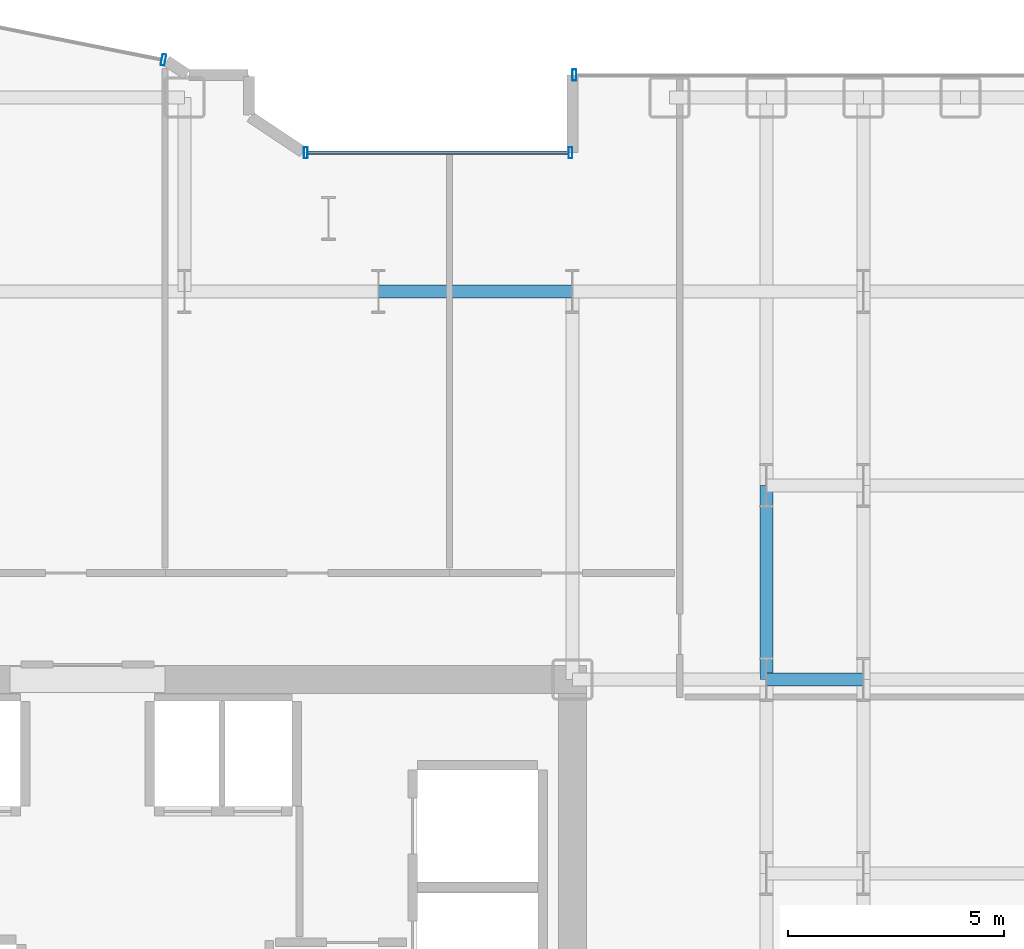
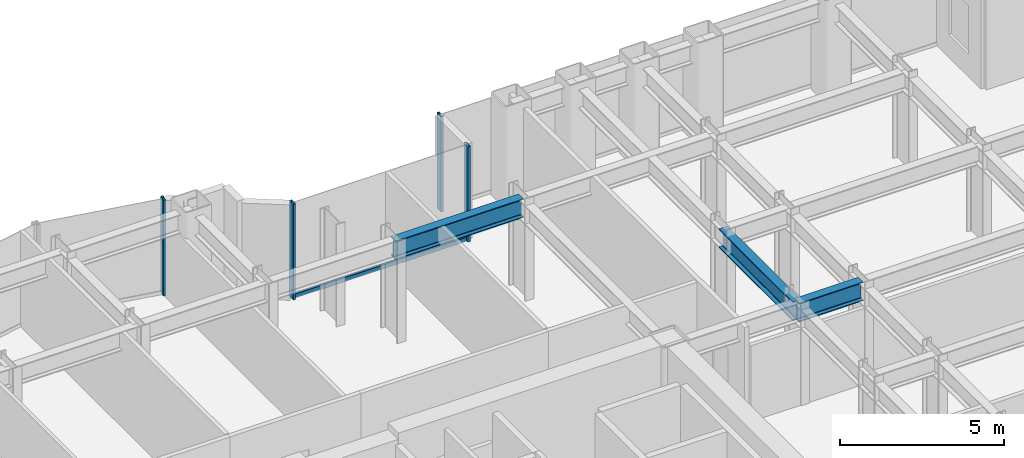
# One storey, part 12 of 25: 5 members, 3 beams, 3 elements without a shape of their own.
"""IFC4 building model written with IfcOpenShell, lengths in metres."""

from ifc_helpers import new_model, si_unit, direction, frame, origin, origin_2d, place, context, subcontext, project, spatial, hollow_rectangle, i_section, extrude, source, transform, mapped, material, layer, layer_set, material_profile, profile_set, type_object, element, aggregate, save


model = new_model("IFC4")

# Units and contexts
model_context = context("Model", 3, precision=1e-05, world=origin(), true_north=direction((0.0, 1.0)))
body_context = subcontext(model_context, "Body", "Model", "MODEL_VIEW")
ifc_project = project(units=[si_unit("LENGTHUNIT", "METRE"), si_unit("AREAUNIT", "SQUARE_METRE"), si_unit("VOLUMEUNIT", "CUBIC_METRE"), si_unit("PLANEANGLEUNIT", "RADIAN"), si_unit("MASSUNIT", "GRAM", prefix="KILO")], contexts=[model_context])

# Site, building, storey
site_placement = place(None, origin())
site = spatial("IfcSite", under=ifc_project, at=site_placement, CompositionType="ELEMENT")
building_placement = place(site_placement, origin())
building = spatial("IfcBuilding", under=site, at=building_placement, Name="Nefas-Gora Pilgrimage Tower", CompositionType="ELEMENT")
storey_placement = place(building_placement, frame((0.0, 0.0, 71.0)))
storey = spatial("IfcBuildingStorey", under=building, at=storey_placement, Name="L16", CompositionType="ELEMENT", Elevation=71.0)

# Beams
ifc_material_1 = material(Name="Steel S355", Category="steel")
ifc_material_profile_1 = material_profile(ifc_material_1, i_section(OverallWidth=0.300048828125, OverallDepth=0.699951171875, WebThickness=0.01708984375, FlangeThickness=0.031982421875, FilletRadius=0.027099609375, at=origin_2d()), Name="HEB 700")
ifc_profile_set_1 = profile_set([ifc_material_profile_1], Name="Steel S355")
beam_type = type_object("IfcBeamType", Name="BM-GIR-HEB700", PredefinedType="BEAM", material=ifc_profile_set_1)
shared_shape_1 = source(origin(), body_context, "Body", "SweptSolid", [
    extrude(i_section(OverallWidth=0.300048828125, OverallDepth=0.699951171875, WebThickness=0.01708984375, FlangeThickness=0.031982421875, FilletRadius=0.027099609375, at=origin_2d()), origin(), (0.0, 0.0, 1.0), 4.5),
])
for number, where, z_axis, x_axis, name in (
    (1, (6.75, 18.0, 3.199951171875), (1.0, 0.0, 0.0), (0.0, 1.0, 0.0), "L16 G-02 beam"),
    (2, (15.75, 9.0, 3.199951171875), (0.0, 1.0, 0.0), (-1.0, 0.0, 0.0), "L16 G-02 beam"),
):
    element("IfcBeam", number, at=place(storey_placement, frame(where, z_axis=z_axis, x_axis=x_axis)), inside=storey, type_object=beam_type, Name=name, PredefinedType="BEAM", context=body_context, shape_type="MappedRepresentation", body=[
        mapped(shared_shape_1, transform((0.0, 0.0, 0.0), x_axis=(1.0, 0.0, 0.0), y_axis=(0.0, 1.0, 0.0), z_axis=(0.0, 0.0, 1.0), scale=1.0)),
    ])
shared_shape_2 = source(origin(), body_context, "Body", "SweptSolid", [
    extrude(i_section(OverallWidth=0.300048828125, OverallDepth=0.699951171875, WebThickness=0.01708984375, FlangeThickness=0.031982421875, FilletRadius=0.027099609375, at=origin_2d()), origin(), (0.0, 0.0, 1.0), 2.25),
])
beam_placement = place(storey_placement, frame((15.75, 9.0, 3.199951171875), z_axis=(1.0, 0.0, 0.0), x_axis=(0.0, 1.0, 0.0)))
element("IfcBeam", 3, at=beam_placement, inside=storey, type_object=beam_type, Name="L16 G-02 beam", PredefinedType="BEAM", context=body_context, shape_type="MappedRepresentation", body=[
    mapped(shared_shape_2, transform((0.0, 0.0, 0.0), x_axis=(1.0, 0.0, 0.0), y_axis=(0.0, 1.0, 0.0), z_axis=(0.0, 0.0, 1.0), scale=1.0)),
])

# Curtain wall, members
ifc_material_2 = material(Name="Dark ceramic-fritted solar-control aluminium-glass curtain wall", Category="aluminium")
ifc_layer_1 = layer(ifc_material_2, 0.219970703125)
ifc_layer_set_1 = layer_set([ifc_layer_1], Name="Dark ceramic-fritted solar-control aluminium-glass curtain wall")
curtain_wall_type_1 = type_object("IfcCurtainWallType", Name="CW-SYS-5", PredefinedType="NOTDEFINED", material=ifc_layer_set_1)
curtain_wall_1_placement = place(storey_placement, origin())
curtain_wall_1 = element("IfcCurtainWall", 4, at=curtain_wall_1_placement, inside=storey, type_object=curtain_wall_type_1, Name="L16 Unitised Curtain Wall CW5", PredefinedType="NOTDEFINED")
ifc_material_3 = material(Name="Anodised architectural aluminium", Category="aluminium")
ifc_material_profile_2 = material_profile(ifc_material_3, hollow_rectangle(XDim=0.090087890625, YDim=0.260009765625, WallThickness=0.006103515625, InnerFilletRadius=0.006103515625, OuterFilletRadius=0.011962890625, at=origin_2d()), Name="ALU MULLION 90x260")
ifc_profile_set_2 = profile_set([ifc_material_profile_2], Name="Anodised architectural aluminium")
member_type_1 = type_object("IfcMemberType", Name="CWM-MUL-5", PredefinedType="MULLION", material=ifc_profile_set_2)
shared_shape_3 = source(origin(), body_context, "Body", "SweptSolid", [
    extrude(hollow_rectangle(XDim=0.090087890625, YDim=0.260009765625, WallThickness=0.006103515625, InnerFilletRadius=0.006103515625, OuterFilletRadius=0.011962890625, at=origin_2d()), origin(), (0.0, 0.0, 1.0), 3.550048828125),
])
member_1_placement = place(storey_placement, frame((11.205078125, 21.219970703125, 0.0), z_axis=(0.0, 0.0, 1.0), x_axis=(-1.0, 0.0, 0.0)))
member_1 = element("IfcMember", 5, at=member_1_placement, type_object=member_type_1, Name="CW5 Mullion 1", PredefinedType="MULLION", context=body_context, shape_type="MappedRepresentation", body=[
    mapped(shared_shape_3, transform((0.0, 0.0, 0.0), x_axis=(1.0, 0.0, 0.0), y_axis=(0.0, 1.0, 0.0), z_axis=(0.0, 0.0, 1.0), scale=1.0)),
])
member_2_placement = place(storey_placement, frame((5.06298828125, 21.219970703125, 0.0), z_axis=(0.0, 0.0, 1.0), x_axis=(-1.0, 0.0, 0.0)))
member_2 = element("IfcMember", 6, at=member_2_placement, type_object=member_type_1, Name="CW5 Mullion 2", PredefinedType="MULLION", context=body_context, shape_type="MappedRepresentation", body=[
    mapped(shared_shape_3, transform((0.0, 0.0, 0.0), x_axis=(1.0, 0.0, 0.0), y_axis=(0.0, 1.0, 0.0), z_axis=(0.0, 0.0, 1.0), scale=1.0)),
])

# Curtain wall, member
curtain_wall_2_placement = place(storey_placement, origin())
curtain_wall_2 = element("IfcCurtainWall", 7, at=curtain_wall_2_placement, inside=storey, type_object=curtain_wall_type_1, Name="L16 Unitised Curtain Wall CW5", PredefinedType="NOTDEFINED")
member_3_placement = place(storey_placement, frame((1.76318359375, 23.3740234375, 0.0), z_axis=(0.0, 0.0, 1.0), x_axis=(-0.980782896852, 0.195102304554, 0.0)))
member_3 = element("IfcMember", 8, at=member_3_placement, type_object=member_type_1, Name="CW5 Mullion 1", PredefinedType="MULLION", context=body_context, shape_type="MappedRepresentation", body=[
    mapped(shared_shape_3, transform((0.0, 0.0, 0.0), x_axis=(1.0, 0.0, 0.0), y_axis=(0.0, 1.0, 0.0), z_axis=(0.0, 0.0, 1.0), scale=1.0)),
])
aggregate(curtain_wall_2, [member_3])

# Member
ifc_material_profile_3 = material_profile(ifc_material_3, hollow_rectangle(XDim=0.080078125, YDim=0.159912109375, WallThickness=0.00439453125, InnerFilletRadius=0.00439453125, OuterFilletRadius=0.009033203125, at=origin_2d()), Name="ALU TRANSOM 80x160")
ifc_profile_set_3 = profile_set([ifc_material_profile_3], Name="Anodised architectural aluminium")
member_type_2 = type_object("IfcMemberType", Name="CWM-TRN-5", PredefinedType="USERDEFINED", material=ifc_profile_set_3)
shared_shape_4 = source(origin(), body_context, "Body", "SweptSolid", [
    extrude(hollow_rectangle(XDim=0.080078125, YDim=0.159912109375, WallThickness=0.00439453125, InnerFilletRadius=0.00439453125, OuterFilletRadius=0.009033203125, at=origin_2d()), origin(), (0.0, 0.0, 1.0), 6.052001953125),
])
member_4_placement = place(storey_placement, frame((11.159912109375, 21.219970703125, 0.050048828125), z_axis=(-1.0, 0.0, 0.0), x_axis=(0.0, -1.0, 0.0)))
member_4 = element("IfcMember", 9, at=member_4_placement, type_object=member_type_2, Name="CW5 Spandrel Transom", ObjectType="TRANSOM", PredefinedType="USERDEFINED", context=body_context, shape_type="MappedRepresentation", body=[
    mapped(shared_shape_4, transform((0.0, 0.0, 0.0), x_axis=(1.0, 0.0, 0.0), y_axis=(0.0, 1.0, 0.0), z_axis=(0.0, 0.0, 1.0), scale=1.0)),
])

aggregate(curtain_wall_1, [member_1, member_2, member_4])

# Curtain wall, member
ifc_layer_2 = layer(ifc_material_2, 0.219970703125)
ifc_layer_set_2 = layer_set([ifc_layer_2], Name="Dark ceramic-fritted solar-control aluminium-glass curtain wall")
curtain_wall_type_2 = type_object("IfcCurtainWallType", Name="CW-SYS-2", PredefinedType="NOTDEFINED", material=ifc_layer_set_2)
curtain_wall_3_placement = place(storey_placement, origin())
curtain_wall_3 = element("IfcCurtainWall", 10, at=curtain_wall_3_placement, inside=storey, type_object=curtain_wall_type_2, Name="L16 Unitised Curtain Wall CW2", PredefinedType="NOTDEFINED")
ifc_material_profile_4 = material_profile(ifc_material_3, hollow_rectangle(XDim=0.090087890625, YDim=0.260009765625, WallThickness=0.006103515625, InnerFilletRadius=0.006103515625, OuterFilletRadius=0.011962890625, at=origin_2d()), Name="ALU MULLION 90x260")
ifc_profile_set_4 = profile_set([ifc_material_profile_4], Name="Anodised architectural aluminium")
member_type_3 = type_object("IfcMemberType", Name="CWM-MUL-2", PredefinedType="MULLION", material=ifc_profile_set_4)
shared_shape_5 = source(origin(), body_context, "Body", "SweptSolid", [
    extrude(hollow_rectangle(XDim=0.090087890625, YDim=0.260009765625, WallThickness=0.006103515625, InnerFilletRadius=0.006103515625, OuterFilletRadius=0.011962890625, at=origin_2d()), origin(), (0.0, 0.0, 1.0), 3.550048828125),
])
member_5_placement = place(storey_placement, frame((11.294921875, 23.02001953125, 0.0), z_axis=(0.0, 0.0, 1.0), x_axis=(-1.0, 0.0, 0.0)))
member_5 = element("IfcMember", 11, at=member_5_placement, type_object=member_type_3, Name="CW2 Mullion 2", PredefinedType="MULLION", context=body_context, shape_type="MappedRepresentation", body=[
    mapped(shared_shape_5, transform((0.0, 0.0, 0.0), x_axis=(1.0, 0.0, 0.0), y_axis=(0.0, 1.0, 0.0), z_axis=(0.0, 0.0, 1.0), scale=1.0)),
])
aggregate(curtain_wall_3, [member_5])

save(model, "model.ifc")
